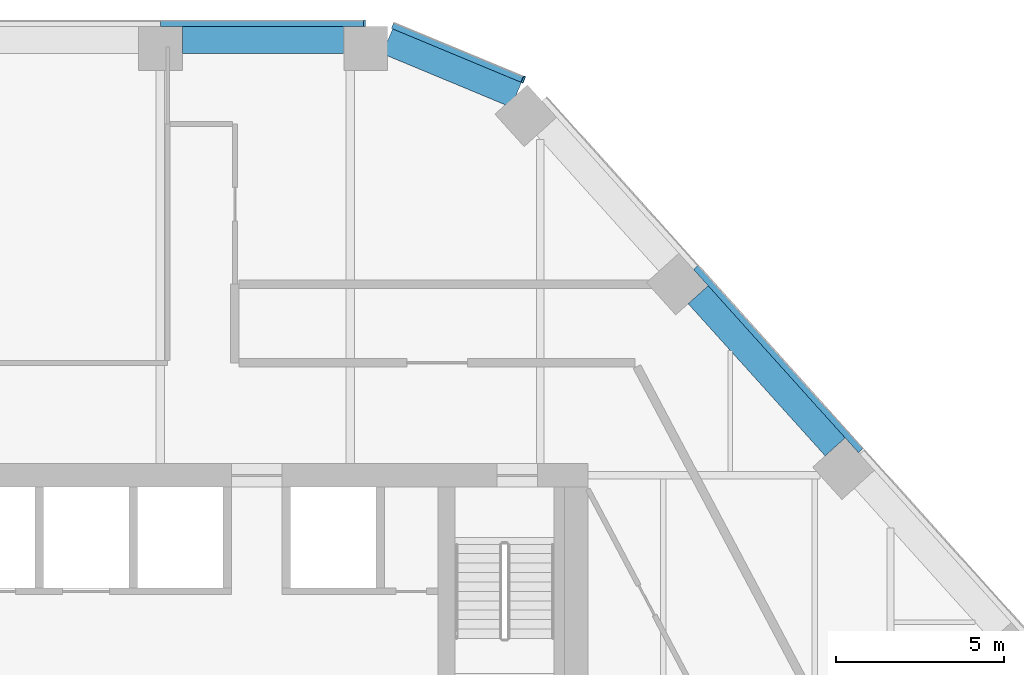
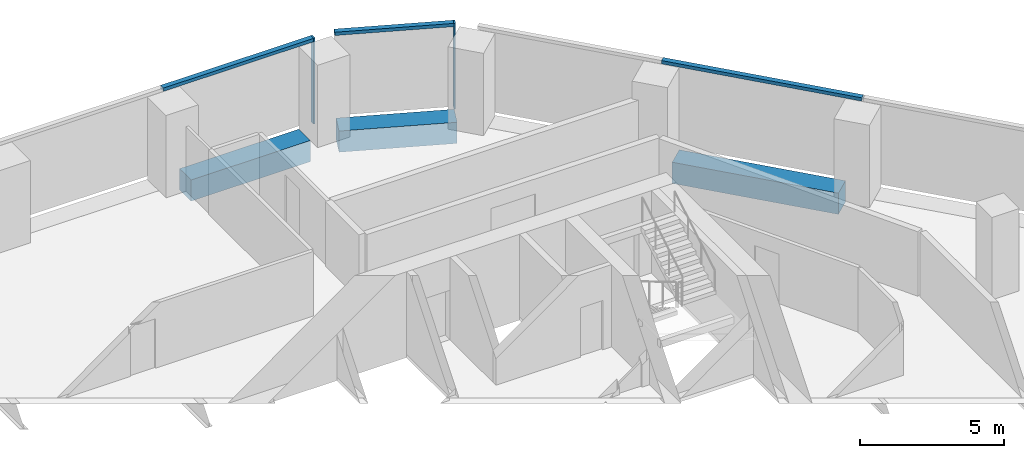
# One storey, part 9 of 16: 5 members, 3 beams, 3 elements without a shape of their own.
"""IFC4 building model written with IfcOpenShell, lengths in metres."""

from ifc_helpers import new_model, si_unit, direction, frame, origin, origin_2d, place, context, subcontext, project, spatial, rectangle, extrude, material, layer, layer_set, material_profile, profile_set, type_object, element, aggregate, save


model = new_model("IFC4")

# Units and contexts
model_context = context("Model", 3, precision=1e-05, world=origin(), true_north=direction((0.0, 1.0)))
body_context = subcontext(model_context, "Body", "Model", "MODEL_VIEW")
ifc_project = project(units=[si_unit("LENGTHUNIT", "METRE"), si_unit("AREAUNIT", "SQUARE_METRE"), si_unit("VOLUMEUNIT", "CUBIC_METRE"), si_unit("PLANEANGLEUNIT", "RADIAN"), si_unit("MASSUNIT", "GRAM", prefix="KILO")], contexts=[model_context])

# Site, building, storey
site_placement = place(None, origin())
site = spatial("IfcSite", under=ifc_project, at=site_placement, CompositionType="ELEMENT")
building_placement = place(site_placement, origin())
building = spatial("IfcBuilding", under=site, at=building_placement, Name="Isthmus Gate Tower", CompositionType="ELEMENT")
storey_placement = place(building_placement, frame((0.0, 0.0, 170.800048828125)))
storey = spatial("IfcBuildingStorey", under=building, at=storey_placement, Name="L42", CompositionType="ELEMENT", Elevation=170.800048828125)

# Curtain wall, member
ifc_material_1 = material(Name="Aluminium, pale champagne anodised", Category="aluminium")
ifc_layer = layer(ifc_material_1, 0.199951171875)
ifc_layer_set = layer_set([ifc_layer], Name="CW-1 UNITISED CURTAIN WALL 200 DEEP")
curtain_wall_type = type_object("IfcCurtainWallType", Name="CW-1 UNITISED CURTAIN WALL 200 DEEP", PredefinedType="NOTDEFINED", material=ifc_layer_set)
curtain_wall_1_placement = place(storey_placement, origin())
curtain_wall_1 = element("IfcCurtainWall", 1, at=curtain_wall_1_placement, inside=storey, type_object=curtain_wall_type, Name="CW-1 N L42", PredefinedType="NOTDEFINED")
ifc_material_2 = material(Name="Aluminium, pale champagne anodised", Category="aluminium")
ifc_material_profile_1 = material_profile(ifc_material_2, rectangle(XDim=0.06005859375, YDim=0.199951171875, at=origin_2d()), Name="60x200")
ifc_profile_set_1 = profile_set([ifc_material_profile_1], Name="Aluminium, pale champagne anodised")
member_type_1 = type_object("IfcMemberType", Name="CW-1 MULLION 60 X 200", PredefinedType="MULLION", material=ifc_profile_set_1)
member_1_placement = place(storey_placement, frame((8.358642578125, 28.10009765625, 0.0), z_axis=(0.0, 0.0, 1.0), x_axis=(-1.0, 0.0, 0.0)))
member_1 = element("IfcMember", 2, at=member_1_placement, type_object=member_type_1, Name="CW-1 mullion", PredefinedType="MULLION", context=body_context, shape_type="SweptSolid", body=[
    extrude(rectangle(XDim=0.06005859375, YDim=0.199951171875, at=origin_2d()), origin(), (0.0, 0.0, 1.0), 3.64990234375),
])

curtain_wall_2_placement = place(storey_placement, origin())
curtain_wall_2 = element("IfcCurtainWall", 3, at=curtain_wall_2_placement, inside=storey, type_object=curtain_wall_type, Name="CW-1 NE-N L42", PredefinedType="NOTDEFINED")
member_2_placement = place(storey_placement, frame((13.080810546875, 26.427490234375, 0.0), z_axis=(0.0, 0.0, 1.0), x_axis=(-0.923353128387, 0.383951820282, 0.0)))
member_2 = element("IfcMember", 4, at=member_2_placement, type_object=member_type_1, Name="CW-1 mullion", PredefinedType="MULLION", context=body_context, shape_type="SweptSolid", body=[
    extrude(rectangle(XDim=0.06005859375, YDim=0.199951171875, at=origin_2d()), origin(), (0.0, 0.0, 1.0), 3.64990234375),
])

# Member
ifc_material_3 = material(Name="Aluminium, pale champagne anodised", Category="aluminium")
ifc_material_profile_2 = material_profile(ifc_material_3, rectangle(XDim=0.199951171875, YDim=0.139892578125, at=origin_2d()), Name="200x140")
ifc_profile_set_2 = profile_set([ifc_material_profile_2], Name="Aluminium, pale champagne anodised")
member_type_2 = type_object("IfcMemberType", Name="CW-1 TRANSOM 200 X 140", PredefinedType="USERDEFINED", material=ifc_profile_set_2)
member_3_placement = place(storey_placement, frame((8.32861328125, 28.10009765625, 3.579833984375), z_axis=(-1.0, 0.0, 0.0), x_axis=(0.0, -1.0, 0.0)))
member_3 = element("IfcMember", 5, at=member_3_placement, type_object=member_type_2, Name="CW-1 transom", ObjectType="TRANSOM", PredefinedType="USERDEFINED", context=body_context, shape_type="SweptSolid", body=[
    extrude(rectangle(XDim=0.199951171875, YDim=0.139892578125, at=origin_2d()), origin(), (0.0, 0.0, 1.0), 6.040283203125),
])

aggregate(curtain_wall_1, [member_1, member_3])

# Curtain wall, member
curtain_wall_3_placement = place(storey_placement, origin())
curtain_wall_3 = element("IfcCurtainWall", 6, at=curtain_wall_3_placement, inside=storey, type_object=curtain_wall_type, Name="CW-1 NE L42", PredefinedType="NOTDEFINED")
member_4_placement = place(storey_placement, frame((23.126708984375, 15.3955078125, 3.579833984375), z_axis=(-0.669137671884, 0.743138463589, 0.0), x_axis=(-0.743138463589, -0.669137671884, 0.0)))
member_4 = element("IfcMember", 7, at=member_4_placement, type_object=member_type_2, Name="CW-1 transom", ObjectType="TRANSOM", PredefinedType="USERDEFINED", context=body_context, shape_type="SweptSolid", body=[
    extrude(rectangle(XDim=0.199951171875, YDim=0.139892578125, at=origin_2d()), origin(), (0.0, 0.0, 1.0), 7.330810546875),
])
aggregate(curtain_wall_3, [member_4])

# Member
member_5_placement = place(storey_placement, frame((13.05322265625, 26.43896484375, 3.579833984375), z_axis=(-0.923358236369, 0.383939536033, 0.0), x_axis=(-0.383939536033, -0.923358236369, 0.0)))
member_5 = element("IfcMember", 8, at=member_5_placement, type_object=member_type_2, Name="CW-1 transom", ObjectType="TRANSOM", PredefinedType="USERDEFINED", context=body_context, shape_type="SweptSolid", body=[
    extrude(rectangle(XDim=0.199951171875, YDim=0.139892578125, at=origin_2d()), origin(), (0.0, 0.0, 1.0), 4.181640625),
])

aggregate(curtain_wall_2, [member_2, member_5])

# Beams
ifc_material_4 = material(Name="Concrete f'c 60 MPa", Category="concrete")
ifc_material_profile_3 = material_profile(ifc_material_4, rectangle(XDim=0.800048828125, YDim=0.89990234375, at=origin_2d()), Name="RC 800X900")
ifc_profile_set_3 = profile_set([ifc_material_profile_3], Name="Concrete f'c 60 MPa")
beam_type = type_object("IfcBeamType", Name="RC SPANDREL 800 X 900", PredefinedType="SPANDREL", material=ifc_profile_set_3)
beam_1_placement = place(storey_placement, frame((9.03857421875, 27.56689453125, -0.449951171875), z_axis=(0.923342835736, -0.383976571805, 0.0), x_axis=(0.383976571805, 0.923342835736, 0.0)))
element("IfcBeam", 9, at=beam_1_placement, inside=storey, type_object=beam_type, Name="str-spandrel-L42-00", PredefinedType="SPANDREL", context=body_context, shape_type="SweptSolid", body=[
    extrude(rectangle(XDim=0.800048828125, YDim=0.89990234375, at=origin_2d()), origin(), (0.0, 0.0, 1.0), 4.152587890625),
])
beam_2_placement = place(storey_placement, frame((18.284912109375, 20.025634765625, -0.449951171875), z_axis=(0.669119737495, -0.743154611703, 0.0), x_axis=(0.743154611703, 0.669119737495, 0.0)))
element("IfcBeam", 10, at=beam_2_placement, inside=storey, type_object=beam_type, Name="str-spandrel-L42-02", PredefinedType="SPANDREL", context=body_context, shape_type="SweptSolid", body=[
    extrude(rectangle(XDim=0.800048828125, YDim=0.89990234375, at=origin_2d()), origin(), (0.0, 0.0, 1.0), 6.0908203125),
])
beam_3_placement = place(storey_placement, frame((2.9384765625, 27.60009765625, -0.449951171875), z_axis=(1.0, 0.0, 0.0), x_axis=(0.0, 1.0, 0.0)))
element("IfcBeam", 11, at=beam_3_placement, inside=storey, type_object=beam_type, Name="str-spandrel-L42-29", PredefinedType="SPANDREL", context=body_context, shape_type="SweptSolid", body=[
    extrude(rectangle(XDim=0.800048828125, YDim=0.89990234375, at=origin_2d()), origin(), (0.0, 0.0, 1.0), 4.800048828125),
])

save(model, "model.ifc")
